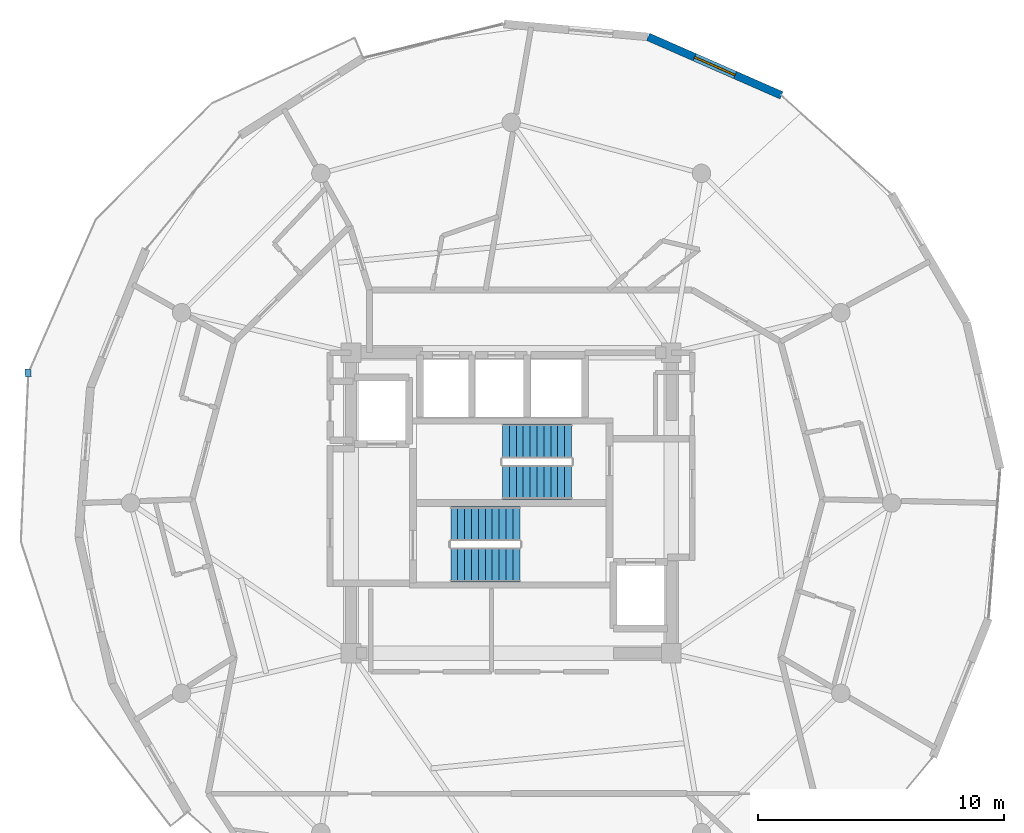
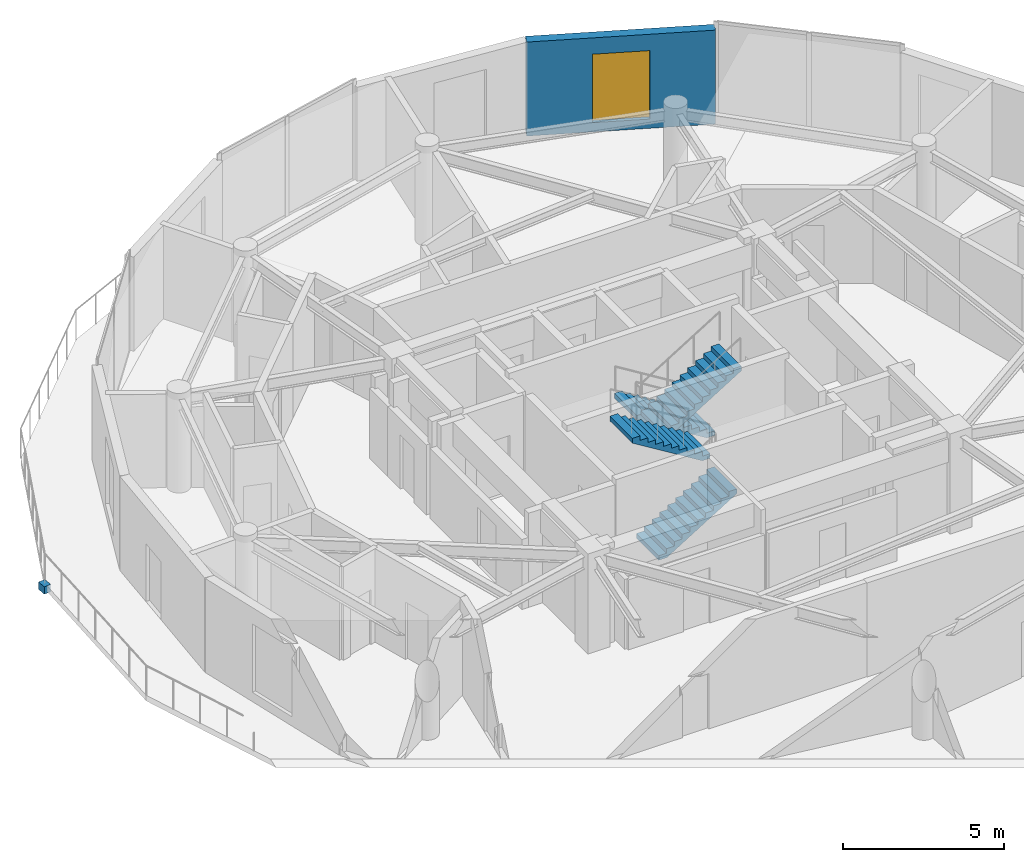
# One storey, part 17 of 19: 4 stair flights, 1 discrete accessory, 1 wall, 1 window, 1 opening, 2 elements without a shape of their own.
"""IFC4 building model written with IfcOpenShell, lengths in metres."""

from ifc_helpers import new_model, si_unit, direction, frame, frame_2d, origin, origin_2d, place, context, subcontext, project, spatial, polyline, rectangle, outline, extrude, material, layer, layer_set, type_object, element, fill, aggregate, save


model = new_model("IFC4")

# Units and contexts
model_context = context("Model", 3, precision=1e-05, world=origin(), true_north=direction((0.0, 1.0)))
body_context = subcontext(model_context, "Body", "Model", "MODEL_VIEW")
ifc_project = project(units=[si_unit("LENGTHUNIT", "METRE"), si_unit("AREAUNIT", "SQUARE_METRE"), si_unit("VOLUMEUNIT", "CUBIC_METRE"), si_unit("PLANEANGLEUNIT", "RADIAN"), si_unit("MASSUNIT", "GRAM", prefix="KILO")], contexts=[model_context])

# Site, building, storey
site_placement = place(None, origin())
site = spatial("IfcSite", under=ifc_project, at=site_placement, CompositionType="ELEMENT")
building_placement = place(site_placement, origin())
building = spatial("IfcBuilding", under=site, at=building_placement, Name="Solvirekh Grand Hotel", CompositionType="ELEMENT")
storey_placement = place(building_placement, frame((0.0, 0.0, 266.800048828125)))
storey = spatial("IfcBuildingStorey", under=building, at=storey_placement, Name="L69", CompositionType="ELEMENT", Elevation=266.800048828125)

# Wall, opening, window
ifc_material_1 = material(Name="Precast concrete C45/55", Category="concrete")
ifc_layer = layer(ifc_material_1, 0.320068359375)
ifc_layer_set = layer_set([ifc_layer], Name="Precast concrete C45/55")
wall_type = type_object("IfcWallType", Name="ExtLobbyWall_RC320", PredefinedType="SOLIDWALL", material=ifc_layer_set)
wall_placement = place(storey_placement, frame((5.556884765625, 18.923095703125, 0.0), z_axis=(0.0, 0.0, 1.0), x_axis=(0.915788475135, -0.401660887828, 0.0)))
wall = element("IfcWall", 1, at=wall_placement, inside=storey, type_object=wall_type, Name="L69 exterior structural wall chord 9", PredefinedType="SOLIDWALL", context=body_context, shape_type="SweptSolid", body=[
    extrude(rectangle(XDim=5.915283203125, YDim=0.320068359375, at=frame_2d((2.95751953125, 0.0))), origin(), (0.0, 0.0, 1.0), 3.570068359375),
])
opening_placement = place(wall_placement, frame((2.05810546875, 0.0, 0.35009765625)))
opening = element("IfcOpeningElement", 2, at=opening_placement, cuts=wall, Name="Opening W02", PredefinedType="OPENING", context=body_context, shape_type="SweptSolid", body=[
    extrude(rectangle(XDim=1.800048828125, YDim=2.60009765625, at=frame_2d((0.89990234375, 1.300048828125))), frame((0.0, 0.169921875, 0.0), z_axis=(0.0, -1.0, 0.0), x_axis=(1.0, 0.0, 0.0)), (0.0, 0.0, 1.0), 0.340087890625),
])
ifc_material_2 = material(Name="Low-E Tinted Bronze Laminated Glass", Category="aluminium")
window_type = type_object("IfcWindowType", Name="Win_LobbyExt_1800X2600", PartitioningType="SINGLE_PANEL", PredefinedType="WINDOW", material=ifc_material_2)
window_placement = place(opening_placement, origin())
window = element("IfcWindow", 3, at=window_placement, inside=storey, type_object=window_type, Name="L69 panoramic bronze-framed window 9", OverallHeight=2.60009765625, OverallWidth=1.800048828125, PartitioningType="SINGLE_PANEL", PredefinedType="WINDOW", context=body_context, shape_type="SweptSolid", body=[
    extrude(rectangle(XDim=1.800048828125, YDim=2.60009765625, at=frame_2d((0.89990234375, 1.300048828125))), frame((0.0, 0.030029296875, 0.0), z_axis=(0.0, -1.0, 0.0), x_axis=(1.0, 0.0, 0.0)), (0.0, 0.0, 1.0), 0.06005859375),
])
fill(opening, window)

# Stair, stair flights
ifc_material_3 = material(Name="Concrete C40/50", Category="concrete")
stair_type = type_object("IfcStairType", Name="Stair_Core_1450", PredefinedType="HALF_TURN_STAIR", material=ifc_material_3)
stair_1_placement = place(storey_placement, origin())
stair_1 = element("IfcStair", 4, at=stair_1_placement, inside=storey, type_object=stair_type, Name="L69 Enclosed exit stair ST-1", PredefinedType="HALF_TURN_STAIR")
stair_flight_type = type_object("IfcStairFlightType", Name="Flight_Core_1450", PredefinedType="STRAIGHT", material=ifc_material_3)
stair_flight_1_placement = place(storey_placement, frame((-2.449951171875, -2.5, 0.0), z_axis=(0.0, 0.0, 1.0), x_axis=(1.0, 0.0, 0.0)))
stair_flight_1 = element("IfcStairFlight", 5, at=stair_flight_1_placement, type_object=stair_flight_type, Name="ST-1 flight 1", NumberOfRisers=11, NumberOfTreads=10, PredefinedType="STRAIGHT", RiserHeight=0.172727273, TreadLength=0.28, context=body_context, shape_type="SweptSolid", body=[
    extrude(outline(polyline([(0.0, 0.0), (0.0, 0.172607421875), (0.280029296875, 0.172607421875), (0.280029296875, 0.345458984375), (0.56005859375, 0.345458984375), (0.56005859375, 0.51806640625), (0.840087890625, 0.51806640625), (0.840087890625, 0.69091796875), (1.1201171875, 0.69091796875), (1.1201171875, 0.863525390625), (1.39990234375, 0.863525390625), (1.39990234375, 1.036376953125), (1.679931640625, 1.036376953125), (1.679931640625, 1.208984375), (1.9599609375, 1.208984375), (1.9599609375, 1.3818359375), (2.239990234375, 1.3818359375), (2.239990234375, 1.554443359375), (2.52001953125, 1.554443359375), (2.52001953125, 1.727294921875), (2.800048828125, 1.727294921875), (2.800048828125, 1.89990234375), (2.800048828125, 1.551025390625), (0.285400390625, 0.0), (0.0, 0.0)])), frame((0.0, 0.699951171875, 0.0), z_axis=(0.0, -1.0, 0.0), x_axis=(1.0, 0.0, 0.0)), (0.0, 0.0, 1.0), 1.39990234375),
])
stair_flight_2_placement = place(storey_placement, frame((0.35009765625, -0.85009765625, 1.89990234375), z_axis=(0.0, 0.0, 1.0), x_axis=(-1.0, 0.0, 0.0)))
stair_flight_2 = element("IfcStairFlight", 6, at=stair_flight_2_placement, type_object=stair_flight_type, Name="ST-1 flight 2", NumberOfRisers=11, NumberOfTreads=10, PredefinedType="STRAIGHT", RiserHeight=0.172727273, TreadLength=0.28, context=body_context, shape_type="SweptSolid", body=[
    extrude(outline(polyline([(0.0, 0.0), (0.0, 0.172607421875), (0.280029296875, 0.172607421875), (0.280029296875, 0.345458984375), (0.56005859375, 0.345458984375), (0.56005859375, 0.51806640625), (0.840087890625, 0.51806640625), (0.840087890625, 0.69091796875), (1.1201171875, 0.69091796875), (1.1201171875, 0.863525390625), (1.39990234375, 0.863525390625), (1.39990234375, 1.036376953125), (1.679931640625, 1.036376953125), (1.679931640625, 1.208984375), (1.9599609375, 1.208984375), (1.9599609375, 1.3818359375), (2.239990234375, 1.3818359375), (2.239990234375, 1.554443359375), (2.52001953125, 1.554443359375), (2.52001953125, 1.727294921875), (2.800048828125, 1.727294921875), (2.800048828125, 1.89990234375), (2.800048828125, 1.551025390625), (0.285400390625, 0.0), (0.0, 0.0)])), frame((0.0, 0.699951171875, 0.0), z_axis=(0.0, -1.0, 0.0), x_axis=(1.0, 0.0, 0.0)), (0.0, 0.0, 1.0), 1.39990234375),
])
aggregate(stair_1, [stair_flight_1, stair_flight_2])

stair_2_placement = place(storey_placement, origin())
stair_2 = element("IfcStair", 7, at=stair_2_placement, inside=storey, type_object=stair_type, Name="L69 Enclosed exit stair ST-2", PredefinedType="HALF_TURN_STAIR")
stair_flight_3_placement = place(storey_placement, frame((2.449951171875, 2.5, 0.0), z_axis=(0.0, 0.0, 1.0), x_axis=(-1.0, 0.0, 0.0)))
stair_flight_3 = element("IfcStairFlight", 8, at=stair_flight_3_placement, type_object=stair_flight_type, Name="ST-2 flight 1", NumberOfRisers=11, NumberOfTreads=10, PredefinedType="STRAIGHT", RiserHeight=0.172727273, TreadLength=0.28, context=body_context, shape_type="SweptSolid", body=[
    extrude(outline(polyline([(0.0, 0.0), (0.0, 0.172607421875), (0.280029296875, 0.172607421875), (0.280029296875, 0.345458984375), (0.56005859375, 0.345458984375), (0.56005859375, 0.51806640625), (0.840087890625, 0.51806640625), (0.840087890625, 0.69091796875), (1.1201171875, 0.69091796875), (1.1201171875, 0.863525390625), (1.39990234375, 0.863525390625), (1.39990234375, 1.036376953125), (1.679931640625, 1.036376953125), (1.679931640625, 1.208984375), (1.9599609375, 1.208984375), (1.9599609375, 1.3818359375), (2.239990234375, 1.3818359375), (2.239990234375, 1.554443359375), (2.52001953125, 1.554443359375), (2.52001953125, 1.727294921875), (2.800048828125, 1.727294921875), (2.800048828125, 1.89990234375), (2.800048828125, 1.551025390625), (0.285400390625, 0.0), (0.0, 0.0)])), frame((0.0, 0.699951171875, 0.0), z_axis=(0.0, -1.0, 0.0), x_axis=(1.0, 0.0, 0.0)), (0.0, 0.0, 1.0), 1.39990234375),
])
stair_flight_4_placement = place(storey_placement, frame((-0.35009765625, 0.85009765625, 1.89990234375), z_axis=(0.0, 0.0, 1.0), x_axis=(1.0, 0.0, 0.0)))
stair_flight_4 = element("IfcStairFlight", 9, at=stair_flight_4_placement, type_object=stair_flight_type, Name="ST-2 flight 2", NumberOfRisers=11, NumberOfTreads=10, PredefinedType="STRAIGHT", RiserHeight=0.172727273, TreadLength=0.28, context=body_context, shape_type="SweptSolid", body=[
    extrude(outline(polyline([(0.0, 0.0), (0.0, 0.172607421875), (0.280029296875, 0.172607421875), (0.280029296875, 0.345458984375), (0.56005859375, 0.345458984375), (0.56005859375, 0.51806640625), (0.840087890625, 0.51806640625), (0.840087890625, 0.69091796875), (1.1201171875, 0.69091796875), (1.1201171875, 0.863525390625), (1.39990234375, 0.863525390625), (1.39990234375, 1.036376953125), (1.679931640625, 1.036376953125), (1.679931640625, 1.208984375), (1.9599609375, 1.208984375), (1.9599609375, 1.3818359375), (2.239990234375, 1.3818359375), (2.239990234375, 1.554443359375), (2.52001953125, 1.554443359375), (2.52001953125, 1.727294921875), (2.800048828125, 1.727294921875), (2.800048828125, 1.89990234375), (2.800048828125, 1.551025390625), (0.285400390625, 0.0), (0.0, 0.0)])), frame((0.0, 0.699951171875, 0.0), z_axis=(0.0, -1.0, 0.0), x_axis=(1.0, 0.0, 0.0)), (0.0, 0.0, 1.0), 1.39990234375),
])
aggregate(stair_2, [stair_flight_3, stair_flight_4])

# Discrete accessory
ifc_material_4 = material(Name="Steel S355", Category="steel")
discrete_accessory_type = type_object("IfcDiscreteAccessoryType", Name="Acc_ThermalBracket", PredefinedType="BRACKET", material=ifc_material_4)
discrete_accessory_placement = place(storey_placement, frame((-19.611083984375, 5.281005859375, -0.2802734375), z_axis=(0.0, 0.0, 1.0), x_axis=(0.073238197128, -0.997314477224, 0.0)))
element("IfcDiscreteAccessory", 10, at=discrete_accessory_placement, inside=storey, type_object=discrete_accessory_type, Name="L69 balcony thermal-break bracket", PredefinedType="BRACKET", context=body_context, shape_type="SweptSolid", body=[
    extrude(rectangle(XDim=0.320068359375, YDim=0.239990234375, at=origin_2d()), origin(), (0.0, 0.0, 1.0), 0.280029296875),
])

save(model, "model.ifc")
